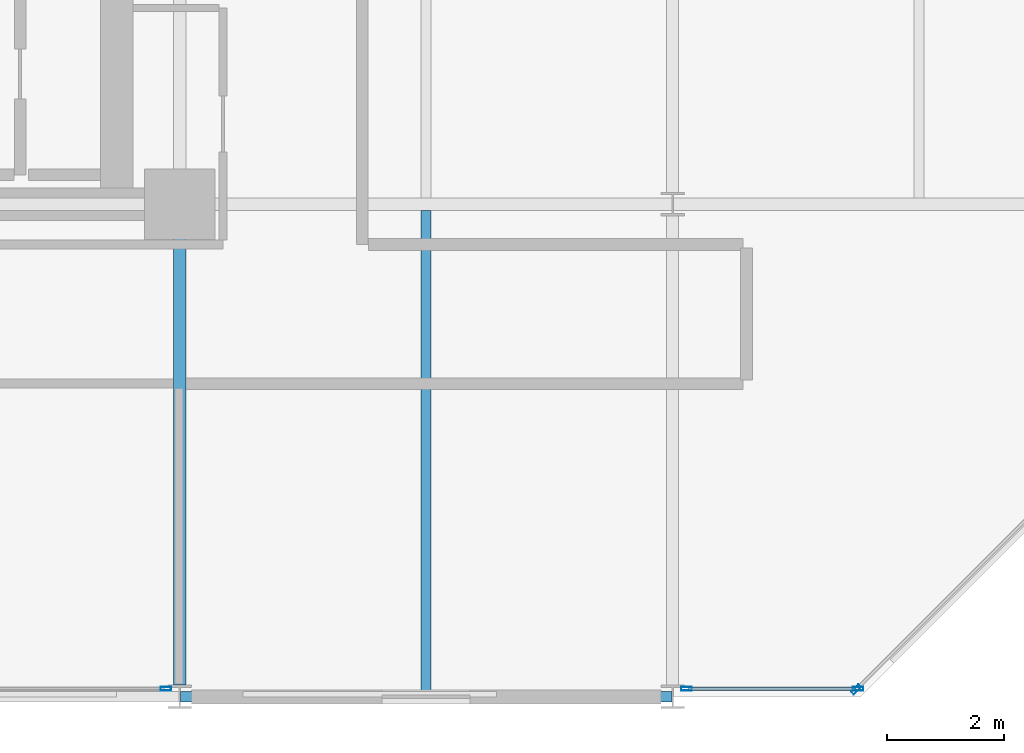
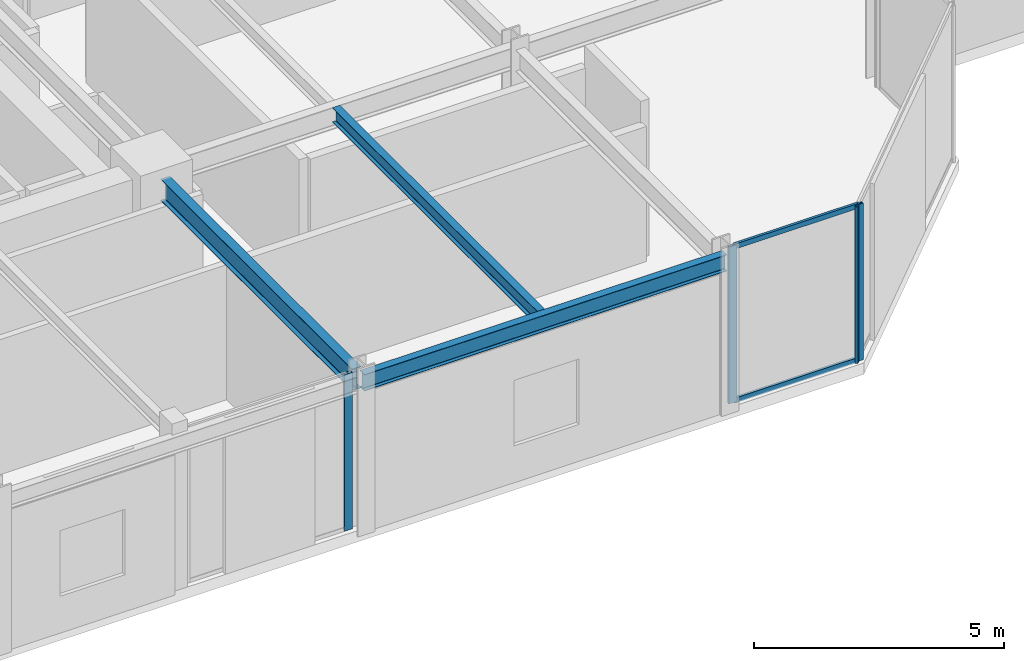
# One storey, part 16 of 38: 6 members, 3 beams, 3 elements without a shape of their own.
"""IFC4 building model written with IfcOpenShell, lengths in metres."""

from ifc_helpers import new_model, si_unit, direction, frame, origin, origin_2d, place, context, subcontext, project, spatial, hollow_rectangle, i_section, extrude, material, layer, layer_set, material_profile, profile_set, type_object, element, aggregate, save


model = new_model("IFC4")

# Units and contexts
model_context = context("Model", 3, precision=1e-05, world=origin(), true_north=direction((0.0, 1.0)))
body_context = subcontext(model_context, "Body", "Model", "MODEL_VIEW")
ifc_project = project(units=[si_unit("LENGTHUNIT", "METRE"), si_unit("AREAUNIT", "SQUARE_METRE"), si_unit("VOLUMEUNIT", "CUBIC_METRE"), si_unit("PLANEANGLEUNIT", "RADIAN"), si_unit("MASSUNIT", "GRAM", prefix="KILO")], contexts=[model_context])

# Site, building, storey
site_placement = place(None, origin())
site = spatial("IfcSite", under=ifc_project, at=site_placement, CompositionType="ELEMENT")
building_placement = place(site_placement, origin())
building = spatial("IfcBuilding", under=site, at=building_placement, Name="Nerrivon Quay Data Exchange", CompositionType="ELEMENT")
storey_placement = place(building_placement, frame((0.0, 0.0, 100.800048828125)))
storey = spatial("IfcBuildingStorey", under=building, at=storey_placement, Name="L23", CompositionType="ELEMENT", Elevation=100.800048828125)

# Beams
ifc_material_1 = material(Name="Steel Grade 350", Category="steel")
ifc_material_profile_1 = material_profile(ifc_material_1, i_section(OverallWidth=0.208984375, OverallDepth=0.528076171875, WebThickness=0.009521484375, FlangeThickness=0.01318359375, FilletRadius=0.013916015625, at=origin_2d()), Name="530UB82.0")
ifc_profile_set_1 = profile_set([ifc_material_profile_1], Name="Steel Grade 350")
beam_type_1 = type_object("IfcBeamType", Name="BM-G4-530UB82", PredefinedType="BEAM", material=ifc_profile_set_1)
beam_1_placement = place(storey_placement, frame((33.60009765625, 0.199951171875, 3.56103515625), z_axis=(0.0, 1.0, 0.0), x_axis=(-1.0, 0.0, 0.0)))
element("IfcBeam", 1, at=beam_1_placement, inside=storey, type_object=beam_type_1, Name="L23 NS Girder X=33.6 (0.0..8.4)", PredefinedType="BEAM", context=body_context, shape_type="SweptSolid", body=[
    extrude(i_section(OverallWidth=0.208984375, OverallDepth=0.528076171875, WebThickness=0.009521484375, FlangeThickness=0.01318359375, FilletRadius=0.013916015625, at=origin_2d()), origin(), (0.0, 0.0, 1.0), 7.66015625),
])
ifc_material_profile_2 = material_profile(ifc_material_1, i_section(OverallWidth=0.1708984375, OverallDepth=0.35595703125, WebThickness=0.00732421875, FlangeThickness=0.011474609375, FilletRadius=0.011474609375, at=origin_2d()), Name="360UB50.7")
ifc_profile_set_2 = profile_set([ifc_material_profile_2], Name="Steel Grade 350")
beam_type_2 = type_object("IfcBeamType", Name="BM-J4-360UB51", PredefinedType="JOIST", material=ifc_profile_set_2)
beam_2_placement = place(storey_placement, frame((37.800048828125, 0.089111328125, 3.64697265625), z_axis=(0.0, 1.0, 0.0), x_axis=(-1.0, 0.0, 0.0)))
element("IfcBeam", 2, at=beam_2_placement, inside=storey, type_object=beam_type_2, Name="L23 Secondary Joist X=37.8 (0.0..8.4)", PredefinedType="JOIST", context=body_context, shape_type="SweptSolid", body=[
    extrude(i_section(OverallWidth=0.1708984375, OverallDepth=0.35595703125, WebThickness=0.00732421875, FlangeThickness=0.011474609375, FilletRadius=0.011474609375, at=origin_2d()), origin(), (0.0, 0.0, 1.0), 8.206298828125),
])
ifc_material_profile_3 = material_profile(ifc_material_1, i_section(OverallWidth=0.177978515625, OverallDepth=0.403076171875, WebThickness=0.007568359375, FlangeThickness=0.010986328125, FilletRadius=0.011474609375, at=origin_2d()), Name="410UB53.7")
ifc_profile_set_3 = profile_set([ifc_material_profile_3], Name="Steel Grade 350")
beam_type_3 = type_object("IfcBeamType", Name="BM-SP2-410UB54", PredefinedType="SPANDREL", material=ifc_profile_set_3)
beam_3_placement = place(storey_placement, frame((33.612548828125, 0.0, 3.62353515625), z_axis=(1.0, 0.0, 0.0), x_axis=(0.0, 1.0, 0.0)))
element("IfcBeam", 3, at=beam_3_placement, inside=storey, type_object=beam_type_3, Name="L23 EW Girder Y=0.0 (33.6..42.0)", PredefinedType="SPANDREL", context=body_context, shape_type="SweptSolid", body=[
    extrude(i_section(OverallWidth=0.177978515625, OverallDepth=0.403076171875, WebThickness=0.007568359375, FlangeThickness=0.010986328125, FilletRadius=0.011474609375, at=origin_2d()), origin(), (0.0, 0.0, 1.0), 8.375),
])

# Curtain wall, member
ifc_material_2 = material(Name="Anodised aluminium 6063-T6", Category="aluminium")
ifc_layer = layer(ifc_material_2, 0.2099609375)
ifc_layer_set = layer_set([ifc_layer], Name="Anodised aluminium 6063-T6")
curtain_wall_type = type_object("IfcCurtainWallType", Name="CW-SYS-02", PredefinedType="NOTDEFINED", material=ifc_layer_set)
curtain_wall_1_placement = place(storey_placement, origin())
curtain_wall_1 = element("IfcCurtainWall", 4, at=curtain_wall_1_placement, inside=storey, type_object=curtain_wall_type, Name="L23 Unitised Curtain Wall 5", PredefinedType="NOTDEFINED")
ifc_material_profile_4 = material_profile(ifc_material_2, hollow_rectangle(XDim=0.06494140625, YDim=0.179931640625, WallThickness=0.00341796875, at=origin_2d()), Name="ALU-MULL-180x65")
ifc_profile_set_4 = profile_set([ifc_material_profile_4], Name="Anodised aluminium 6063-T6")
member_type_1 = type_object("IfcMemberType", Name="CWM-180x65", PredefinedType="MULLION", material=ifc_profile_set_4)
member_1_placement = place(storey_placement, frame((45.12744140625, 0.12548828125, 0.0), z_axis=(0.0, 0.0, 1.0), x_axis=(0.707106781187, -0.707106781187, 0.0)))
member_1 = element("IfcMember", 5, at=member_1_placement, type_object=member_type_1, Name="CW02 mullion 2", PredefinedType="MULLION", context=body_context, shape_type="SweptSolid", body=[
    extrude(hollow_rectangle(XDim=0.06494140625, YDim=0.179931640625, WallThickness=0.00341796875, at=origin_2d()), origin(), (0.0, 0.0, 1.0), 3.824951171875),
])
aggregate(curtain_wall_1, [member_1])

# Curtain wall, members
curtain_wall_2_placement = place(storey_placement, origin())
curtain_wall_2 = element("IfcCurtainWall", 6, at=curtain_wall_2_placement, inside=storey, type_object=curtain_wall_type, Name="L23 Unitised Curtain Wall 6", PredefinedType="NOTDEFINED")
member_2_placement = place(storey_placement, frame((45.16259765625, 0.139892578125, 0.0), z_axis=(0.0, 0.0, 1.0), x_axis=(0.0, -1.0, 0.0)))
member_2 = element("IfcMember", 7, at=member_2_placement, type_object=member_type_1, Name="CW02 mullion 1", PredefinedType="MULLION", context=body_context, shape_type="SweptSolid", body=[
    extrude(hollow_rectangle(XDim=0.06494140625, YDim=0.179931640625, WallThickness=0.00341796875, at=origin_2d()), origin(), (0.0, 0.0, 1.0), 3.824951171875),
])
member_3_placement = place(storey_placement, frame((42.237548828125, 0.139892578125, 0.0), z_axis=(0.0, 0.0, 1.0), x_axis=(0.0, -1.0, 0.0)))
member_3 = element("IfcMember", 8, at=member_3_placement, type_object=member_type_1, Name="CW02 mullion 2", PredefinedType="MULLION", context=body_context, shape_type="SweptSolid", body=[
    extrude(hollow_rectangle(XDim=0.06494140625, YDim=0.179931640625, WallThickness=0.00341796875, at=origin_2d()), origin(), (0.0, 0.0, 1.0), 3.824951171875),
])

# Curtain wall, member
curtain_wall_3_placement = place(storey_placement, origin())
curtain_wall_3 = element("IfcCurtainWall", 9, at=curtain_wall_3_placement, inside=storey, type_object=curtain_wall_type, Name="L23 Unitised Curtain Wall 8", PredefinedType="NOTDEFINED")
member_4_placement = place(storey_placement, frame((33.362548828125, 0.139892578125, 0.0), z_axis=(0.0, 0.0, 1.0), x_axis=(0.0, -1.0, 0.0)))
member_4 = element("IfcMember", 10, at=member_4_placement, type_object=member_type_1, Name="CW02 mullion 1", PredefinedType="MULLION", context=body_context, shape_type="SweptSolid", body=[
    extrude(hollow_rectangle(XDim=0.06494140625, YDim=0.179931640625, WallThickness=0.00341796875, at=origin_2d()), origin(), (0.0, 0.0, 1.0), 3.824951171875),
])
aggregate(curtain_wall_3, [member_4])

# Member
ifc_material_profile_5 = material_profile(ifc_material_2, hollow_rectangle(XDim=0.06005859375, YDim=0.1201171875, WallThickness=0.003173828125, at=origin_2d()), Name="ALU-TRAN-120x60")
ifc_profile_set_5 = profile_set([ifc_material_profile_5], Name="Anodised aluminium 6063-T6")
member_type_2 = type_object("IfcMemberType", Name="CWT-120x60", PredefinedType="USERDEFINED", material=ifc_profile_set_5)
member_5_placement = place(storey_placement, frame((45.125, 0.139892578125, 0.032470703125), z_axis=(-1.0, 0.0, 0.0), x_axis=(0.0, -1.0, 0.0)))
member_5 = element("IfcMember", 11, at=member_5_placement, type_object=member_type_2, Name="CW02 transom 1.1", ObjectType="TRANSOM", PredefinedType="USERDEFINED", context=body_context, shape_type="SweptSolid", body=[
    extrude(hollow_rectangle(XDim=0.06005859375, YDim=0.1201171875, WallThickness=0.003173828125, at=origin_2d()), origin(), (0.0, 0.0, 1.0), 2.85009765625),
])

member_6_placement = place(storey_placement, frame((45.125, 0.139892578125, 3.79248046875), z_axis=(-1.0, 0.0, 0.0), x_axis=(0.0, -1.0, 0.0)))
member_6 = element("IfcMember", 12, at=member_6_placement, type_object=member_type_2, Name="CW02 transom 1.2", ObjectType="TRANSOM", PredefinedType="USERDEFINED", context=body_context, shape_type="SweptSolid", body=[
    extrude(hollow_rectangle(XDim=0.06005859375, YDim=0.1201171875, WallThickness=0.003173828125, at=origin_2d()), origin(), (0.0, 0.0, 1.0), 2.85009765625),
])

aggregate(curtain_wall_2, [member_2, member_3, member_5, member_6])

save(model, "model.ifc")
